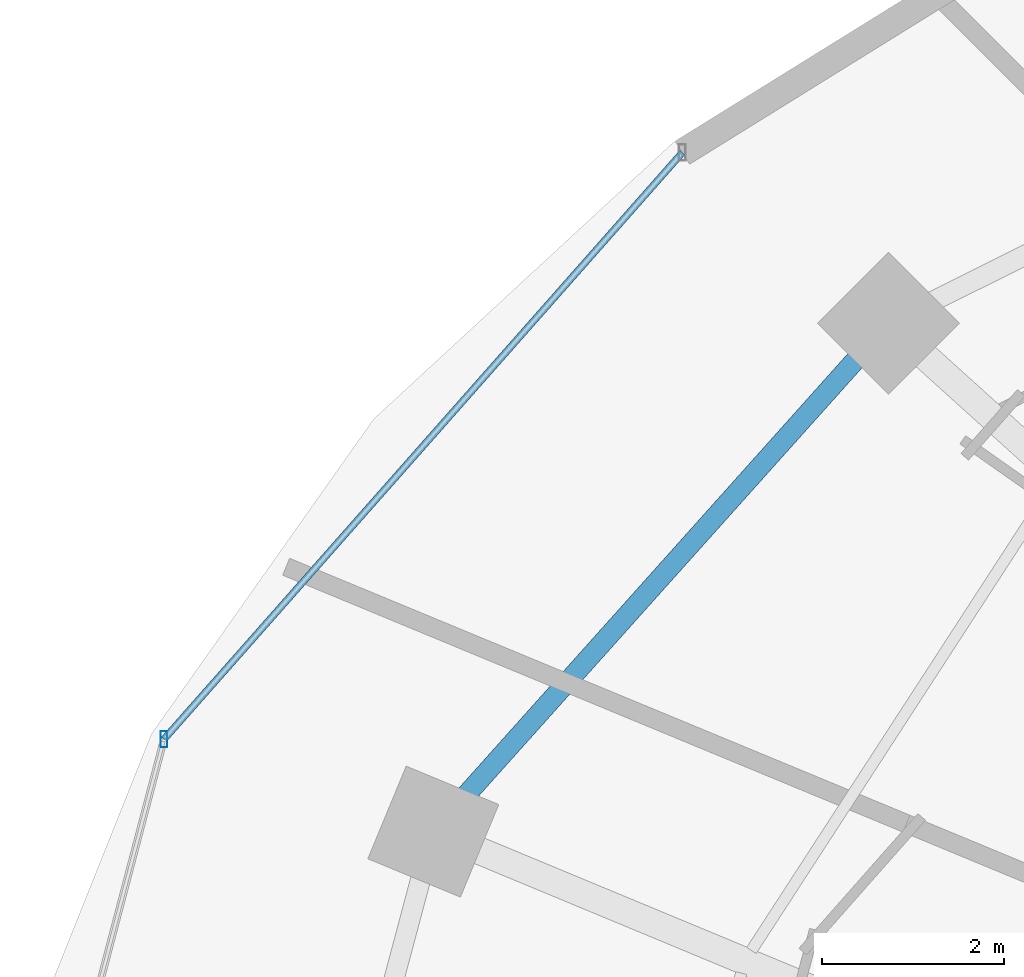
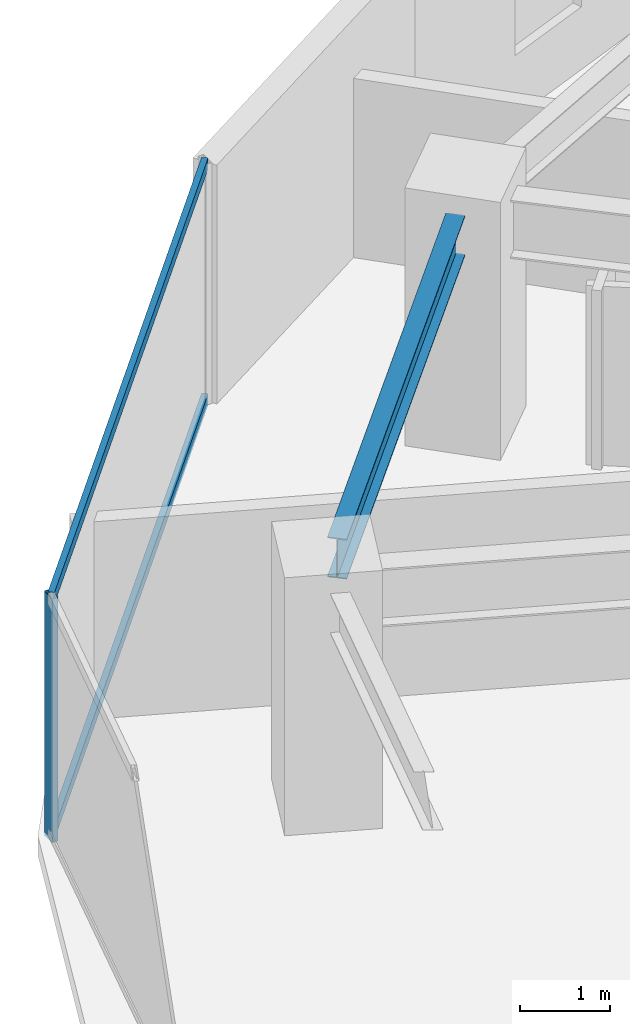
# One storey, part 9 of 30: 3 members, 1 beam, 1 element without a shape of its own.
"""IFC4 building model written with IfcOpenShell, lengths in metres."""

from ifc_helpers import new_model, si_unit, direction, frame, origin, origin_2d, place, context, subcontext, project, spatial, hollow_rectangle, i_section, extrude, material, material_profile, profile_set, type_object, element, aggregate, save


model = new_model("IFC4")

# Units and contexts
model_context = context("Model", 3, precision=1e-05, world=origin(), true_north=direction((0.0, 1.0)))
body_context = subcontext(model_context, "Body", "Model", "MODEL_VIEW")
ifc_project = project(units=[si_unit("LENGTHUNIT", "METRE"), si_unit("AREAUNIT", "SQUARE_METRE"), si_unit("VOLUMEUNIT", "CUBIC_METRE"), si_unit("PLANEANGLEUNIT", "RADIAN"), si_unit("MASSUNIT", "GRAM", prefix="KILO")], contexts=[model_context])

# Site, building, storey
site_placement = place(None, origin())
site = spatial("IfcSite", under=ifc_project, at=site_placement, CompositionType="ELEMENT")
building_placement = place(site_placement, origin())
building = spatial("IfcBuilding", under=site, at=building_placement, Name="Vorneva Point Tower", CompositionType="ELEMENT")
storey_placement = place(building_placement, frame((0.0, 0.0, 106.800048828125)))
storey = spatial("IfcBuildingStorey", under=building, at=storey_placement, Name="L28", CompositionType="ELEMENT", Elevation=106.800048828125)

# Beam
ifc_material_1 = material(Name="Steel S355", Category="steel")
ifc_material_profile_1 = material_profile(ifc_material_1, i_section(OverallWidth=0.219970703125, OverallDepth=0.54296875, WebThickness=0.009521484375, FlangeThickness=0.013427734375, at=origin_2d()), Name="55B1")
ifc_profile_set_1 = profile_set([ifc_material_profile_1], Name="Steel S355")
beam_type = type_object("IfcBeamType", Name="BM-SPN-55B1", PredefinedType="SPANDREL", material=ifc_profile_set_1)
beam_placement = place(storey_placement, frame((21.34423828125, 37.763671875, 2.968505859375), z_axis=(-0.667073815664, -0.744991627105, 0.0), x_axis=(0.744991627105, -0.667073815664, 0.0)))
element("IfcBeam", 1, at=beam_placement, inside=storey, type_object=beam_type, Name="L28 Perimeter Spandrel Ring Beam 07", PredefinedType="SPANDREL", context=body_context, shape_type="SweptSolid", body=[
    extrude(i_section(OverallWidth=0.219970703125, OverallDepth=0.54296875, WebThickness=0.009521484375, FlangeThickness=0.013427734375, at=origin_2d()), origin(), (0.0, 0.0, 1.0), 6.420166015625),
])

# Curtain wall, members
ifc_material_2 = material(Name="Pale anodised aluminium", Category="aluminium")
curtain_wall_type = type_object("IfcCurtainWallType", Name="CW-HTL-SYS", PredefinedType="NOTDEFINED", material=ifc_material_2)
curtain_wall_placement = place(storey_placement, origin())
curtain_wall = element("IfcCurtainWall", 2, at=curtain_wall_placement, inside=storey, type_object=curtain_wall_type, Name="L28 Unitised Curtain Wall CW-L28-R03", PredefinedType="NOTDEFINED")
ifc_material_profile_2 = material_profile(ifc_material_2, hollow_rectangle(XDim=0.074951171875, YDim=0.179931640625, WallThickness=0.00390625, at=origin_2d()), Name="AL-MUL 180x75x4")
ifc_profile_set_2 = profile_set([ifc_material_profile_2], Name="Pale anodised aluminium")
member_type_1 = type_object("IfcMemberType", Name="CW-MUL-180", PredefinedType="MULLION", material=ifc_profile_set_2)
member_1_placement = place(storey_placement, frame((13.748291015625, 33.59619140625, -0.0400390625), z_axis=(0.0, 0.0, 1.0), x_axis=(1.0, 0.0, 0.0)))
member_1 = element("IfcMember", 3, at=member_1_placement, type_object=member_type_1, Name="CW-L28-R03 Mullion 02", PredefinedType="MULLION", context=body_context, shape_type="SweptSolid", body=[
    extrude(hollow_rectangle(XDim=0.074951171875, YDim=0.179931640625, WallThickness=0.00390625, at=origin_2d()), origin(), (0.0, 0.0, 1.0), 3.31005859375),
])
ifc_material_profile_3 = material_profile(ifc_material_2, hollow_rectangle(XDim=0.074951171875, YDim=0.14990234375, WallThickness=0.00390625, at=origin_2d()), Name="AL-TRN 150x75x4")
ifc_profile_set_3 = profile_set([ifc_material_profile_3], Name="Pale anodised aluminium")
member_type_2 = type_object("IfcMemberType", Name="CW-TRN-150", PredefinedType="USERDEFINED", material=ifc_profile_set_3)
member_2_placement = place(storey_placement, frame((19.4384765625, 40.0361328125, 0.02001953125), z_axis=(-0.662137326257, -0.74938251993, 0.0), x_axis=(0.74938251993, -0.662137326257, 0.0)))
member_2 = element("IfcMember", 4, at=member_2_placement, type_object=member_type_2, Name="CW-L28-R03 Transom 01.1", ObjectType="TRANSOM", PredefinedType="USERDEFINED", context=body_context, shape_type="SweptSolid", body=[
    extrude(hollow_rectangle(XDim=0.074951171875, YDim=0.14990234375, WallThickness=0.00390625, at=origin_2d()), origin(), (0.0, 0.0, 1.0), 8.59375),
])
member_3_placement = place(storey_placement, frame((19.4384765625, 40.0361328125, 3.219970703125), z_axis=(-0.662137326257, -0.74938251993, 0.0), x_axis=(0.74938251993, -0.662137326257, 0.0)))
member_3 = element("IfcMember", 5, at=member_3_placement, type_object=member_type_2, Name="CW-L28-R03 Transom 01.2", ObjectType="TRANSOM", PredefinedType="USERDEFINED", context=body_context, shape_type="SweptSolid", body=[
    extrude(hollow_rectangle(XDim=0.074951171875, YDim=0.14990234375, WallThickness=0.00390625, at=origin_2d()), origin(), (0.0, 0.0, 1.0), 8.59375),
])
aggregate(curtain_wall, [member_1, member_2, member_3])

save(model, "model.ifc")
